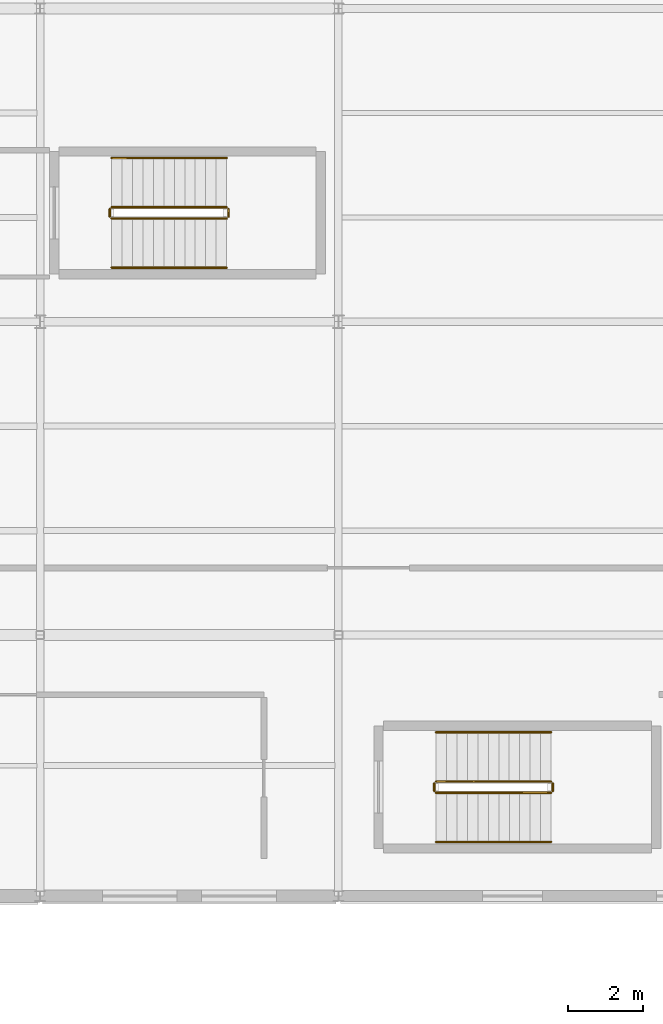
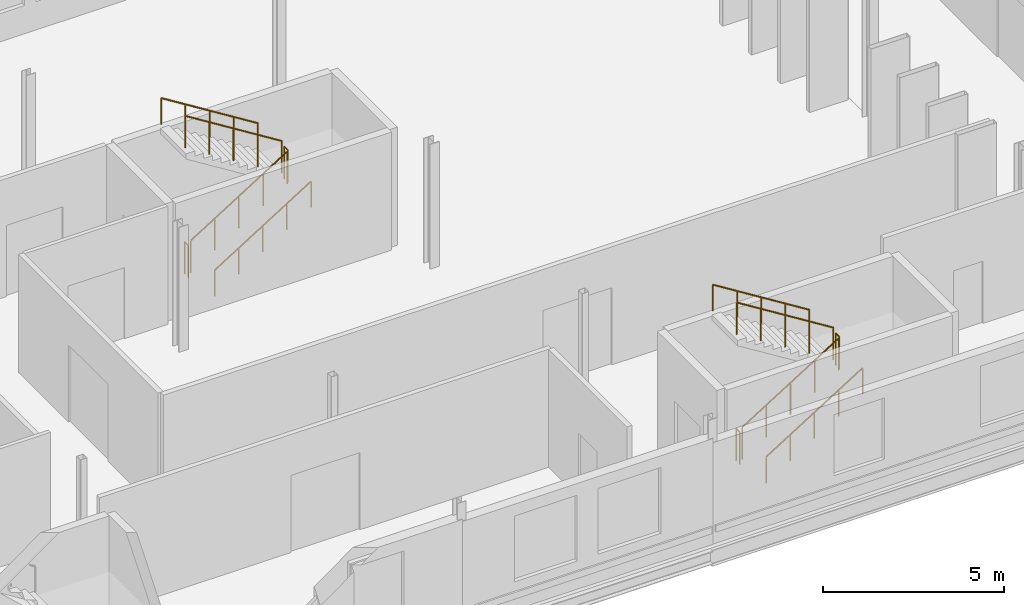
# One storey, part 93 of 101: 12 railings.
"""IFC4 building model written with IfcOpenShell, lengths in metres."""

from ifc_helpers import new_model, si_unit, direction, frame, origin, origin_2d, place, context, subcontext, project, spatial, circle, extrude, material, type_object, element, save


model = new_model("IFC4")

# Units and contexts
model_context = context("Model", 3, precision=1e-05, world=origin(), true_north=direction((0.0, 1.0)))
body_context = subcontext(model_context, "Body", "Model", "MODEL_VIEW")
ifc_project = project(units=[si_unit("LENGTHUNIT", "METRE"), si_unit("AREAUNIT", "SQUARE_METRE"), si_unit("VOLUMEUNIT", "CUBIC_METRE"), si_unit("PLANEANGLEUNIT", "RADIAN"), si_unit("MASSUNIT", "GRAM", prefix="KILO")], contexts=[model_context])

# Site, building, storey
site_placement = place(None, origin())
site = spatial("IfcSite", under=ifc_project, at=site_placement, CompositionType="ELEMENT")
building_placement = place(site_placement, origin())
building = spatial("IfcBuilding", under=site, at=building_placement, Name="Vekula Escarpment Museum", CompositionType="ELEMENT")
storey_placement = place(building_placement, frame((0.0, 0.0, 18.0)))
storey = spatial("IfcBuildingStorey", under=building, at=storey_placement, Name="L04", CompositionType="ELEMENT", Elevation=18.0)

# Railings
ifc_material_1 = material(Name="Painted Steel S355 stair guard", Category="steel")
railing_type_1 = type_object("IfcRailingType", Name="RL-STAIR-GUARD", PredefinedType="GUARDRAIL", material=ifc_material_1)
railing_1_placement = place(storey_placement, frame((58.6201171875, 55.3701171875, 0.175048828125)))
element("IfcRailing", 1, at=railing_1_placement, inside=storey, type_object=railing_type_1, Name="L04 ST-01 stair guard 1", PredefinedType="GUARDRAIL", context=body_context, shape_type="SweptSolid", body=[
    extrude(circle(Radius=0.02392578125, at=origin_2d()), frame((0.0, 0.0, 1.076171875), z_axis=(0.847979421464, 0.0, 0.530029150871), x_axis=(0.0, 1.0, 0.0)), (0.0, 0.0, 1.0), 3.632080078125),
    extrude(circle(Radius=0.02099609375, at=origin_2d()), origin(), (0.0, 0.0, 1.0), 1.052001953125),
    extrude(circle(Radius=0.02099609375, at=origin_2d()), frame((0.77001953125, 0.0, 0.481201171875)), (0.0, 0.0, 1.0), 1.052001953125),
    extrude(circle(Radius=0.02099609375, at=origin_2d()), frame((1.5400390625, 0.0, 0.96240234375)), (0.0, 0.0, 1.0), 1.052001953125),
    extrude(circle(Radius=0.02099609375, at=origin_2d()), frame((2.309814453125, 0.0, 1.44384765625)), (0.0, 0.0, 1.0), 1.052001953125),
    extrude(circle(Radius=0.02099609375, at=origin_2d()), frame((3.079833984375, 0.0, 1.925048828125)), (0.0, 0.0, 1.0), 1.052001953125),
])
railing_2_placement = place(storey_placement, frame((61.75, 55.419921875, 2.10009765625)))
element("IfcRailing", 2, at=railing_2_placement, inside=storey, type_object=railing_type_1, Name="L04 ST-01 stair guard 2", PredefinedType="GUARDRAIL", context=body_context, shape_type="SweptSolid", body=[
    extrude(circle(Radius=0.02392578125, at=origin_2d()), frame((0.0, 0.0, 1.076171875), z_axis=(0.0, 1.0, 0.0), x_axis=(-1.0, 0.0, 0.0)), (0.0, 0.0, 1.0), 0.2001953125),
    extrude(circle(Radius=0.02099609375, at=origin_2d()), origin(), (0.0, 0.0, 1.0), 1.052001953125),
    extrude(circle(Radius=0.02099609375, at=origin_2d()), frame((0.0, 0.2001953125, 0.0)), (0.0, 0.0, 1.0), 1.052001953125),
])
railing_3_placement = place(storey_placement, frame((61.699951171875, 55.669921875, 2.27490234375)))
element("IfcRailing", 3, at=railing_3_placement, inside=storey, type_object=railing_type_1, Name="L04 ST-01 stair guard 3", PredefinedType="GUARDRAIL", context=body_context, shape_type="SweptSolid", body=[
    extrude(circle(Radius=0.02392578125, at=origin_2d()), frame((0.0, 0.0, 1.076171875), z_axis=(-0.847979421464, 0.0, 0.530029150871), x_axis=(0.0, -1.0, 0.0)), (0.0, 0.0, 1.0), 3.632080078125),
    extrude(circle(Radius=0.02099609375, at=origin_2d()), origin(), (0.0, 0.0, 1.0), 1.052001953125),
    extrude(circle(Radius=0.02099609375, at=origin_2d()), frame((-0.77001953125, 0.0, 0.481201171875)), (0.0, 0.0, 1.0), 1.052001953125),
    extrude(circle(Radius=0.02099609375, at=origin_2d()), frame((-1.5400390625, 0.0, 0.96240234375)), (0.0, 0.0, 1.0), 1.052001953125),
    extrude(circle(Radius=0.02099609375, at=origin_2d()), frame((-2.309814453125, 0.0, 1.44384765625)), (0.0, 0.0, 1.0), 1.052001953125),
    extrude(circle(Radius=0.02099609375, at=origin_2d()), frame((-3.079833984375, 0.0, 1.925048828125)), (0.0, 0.0, 1.0), 1.052001953125),
])
railing_4_placement = place(storey_placement, frame((58.570068359375, 55.419921875, 0.0)))
element("IfcRailing", 4, at=railing_4_placement, inside=storey, type_object=railing_type_1, Name="L04 ST-01 stair guard 4", PredefinedType="GUARDRAIL", context=body_context, shape_type="SweptSolid", body=[
    extrude(circle(Radius=0.02392578125, at=origin_2d()), frame((0.0, 0.0, 1.076171875), z_axis=(0.0, 1.0, 0.0), x_axis=(-1.0, 0.0, 0.0)), (0.0, 0.0, 1.0), 0.2001953125),
    extrude(circle(Radius=0.02099609375, at=origin_2d()), origin(), (0.0, 0.0, 1.0), 1.052001953125),
    extrude(circle(Radius=0.02099609375, at=origin_2d()), frame((0.0, 0.2001953125, 0.0)), (0.0, 0.0, 1.0), 1.052001953125),
])
railing_5_placement = place(storey_placement, frame((49.919921875, 70.77001953125, 0.175048828125)))
element("IfcRailing", 5, at=railing_5_placement, inside=storey, type_object=railing_type_1, Name="L04 ST-10 stair guard 1", PredefinedType="GUARDRAIL", context=body_context, shape_type="SweptSolid", body=[
    extrude(circle(Radius=0.02392578125, at=origin_2d()), frame((0.0, 0.0, 1.076171875), z_axis=(0.847998304005, 0.0, 0.529998940003), x_axis=(0.0, 1.0, 0.0)), (0.0, 0.0, 1.0), 3.632080078125),
    extrude(circle(Radius=0.02099609375, at=origin_2d()), origin(), (0.0, 0.0, 1.0), 1.052001953125),
    extrude(circle(Radius=0.02099609375, at=origin_2d()), frame((0.77001953125, 0.0, 0.481201171875)), (0.0, 0.0, 1.0), 1.052001953125),
    extrude(circle(Radius=0.02099609375, at=origin_2d()), frame((1.5400390625, 0.0, 0.96240234375)), (0.0, 0.0, 1.0), 1.052001953125),
    extrude(circle(Radius=0.02099609375, at=origin_2d()), frame((2.31005859375, 0.0, 1.44384765625)), (0.0, 0.0, 1.0), 1.052001953125),
    extrude(circle(Radius=0.02099609375, at=origin_2d()), frame((3.080078125, 0.0, 1.925048828125)), (0.0, 0.0, 1.0), 1.052001953125),
])
railing_6_placement = place(storey_placement, frame((53.050048828125, 70.820068359375, 2.10009765625)))
element("IfcRailing", 6, at=railing_6_placement, inside=storey, type_object=railing_type_1, Name="L04 ST-10 stair guard 2", PredefinedType="GUARDRAIL", context=body_context, shape_type="SweptSolid", body=[
    extrude(circle(Radius=0.02392578125, at=origin_2d()), frame((0.0, 0.0, 1.076171875), z_axis=(0.0, 1.0, 0.0), x_axis=(-1.0, 0.0, 0.0)), (0.0, 0.0, 1.0), 0.199951171875),
    extrude(circle(Radius=0.02099609375, at=origin_2d()), origin(), (0.0, 0.0, 1.0), 1.052001953125),
    extrude(circle(Radius=0.02099609375, at=origin_2d()), frame((0.0, 0.199951171875, 0.0)), (0.0, 0.0, 1.0), 1.052001953125),
])
railing_7_placement = place(storey_placement, frame((53.0, 71.070068359375, 2.27490234375)))
element("IfcRailing", 7, at=railing_7_placement, inside=storey, type_object=railing_type_1, Name="L04 ST-10 stair guard 3", PredefinedType="GUARDRAIL", context=body_context, shape_type="SweptSolid", body=[
    extrude(circle(Radius=0.02392578125, at=origin_2d()), frame((0.0, 0.0, 1.076171875), z_axis=(-0.847998304005, 0.0, 0.529998940003), x_axis=(0.0, -1.0, 0.0)), (0.0, 0.0, 1.0), 3.632080078125),
    extrude(circle(Radius=0.02099609375, at=origin_2d()), origin(), (0.0, 0.0, 1.0), 1.052001953125),
    extrude(circle(Radius=0.02099609375, at=origin_2d()), frame((-0.77001953125, 0.0, 0.481201171875)), (0.0, 0.0, 1.0), 1.052001953125),
    extrude(circle(Radius=0.02099609375, at=origin_2d()), frame((-1.5400390625, 0.0, 0.96240234375)), (0.0, 0.0, 1.0), 1.052001953125),
    extrude(circle(Radius=0.02099609375, at=origin_2d()), frame((-2.31005859375, 0.0, 1.44384765625)), (0.0, 0.0, 1.0), 1.052001953125),
    extrude(circle(Radius=0.02099609375, at=origin_2d()), frame((-3.080078125, 0.0, 1.925048828125)), (0.0, 0.0, 1.0), 1.052001953125),
])
railing_8_placement = place(storey_placement, frame((49.8701171875, 70.820068359375, 0.0)))
element("IfcRailing", 8, at=railing_8_placement, inside=storey, type_object=railing_type_1, Name="L04 ST-10 stair guard 4", PredefinedType="GUARDRAIL", context=body_context, shape_type="SweptSolid", body=[
    extrude(circle(Radius=0.02392578125, at=origin_2d()), frame((0.0, 0.0, 1.076171875), z_axis=(0.0, 1.0, 0.0), x_axis=(-1.0, 0.0, 0.0)), (0.0, 0.0, 1.0), 0.199951171875),
    extrude(circle(Radius=0.02099609375, at=origin_2d()), origin(), (0.0, 0.0, 1.0), 1.052001953125),
    extrude(circle(Radius=0.02099609375, at=origin_2d()), frame((0.0, 0.199951171875, 0.0)), (0.0, 0.0, 1.0), 1.052001953125),
])
ifc_material_2 = material(Name="Brushed stainless steel handrail", Category="steel")
railing_type_2 = type_object("IfcRailingType", Name="RL-STAIR-HAND", PredefinedType="HANDRAIL", material=ifc_material_2)
railing_9_placement = place(storey_placement, frame((58.6201171875, 54.050048828125, 0.175048828125)))
element("IfcRailing", 9, at=railing_9_placement, inside=storey, type_object=railing_type_2, Name="L04 ST-01 stair handrail 1", PredefinedType="HANDRAIL", context=body_context, shape_type="SweptSolid", body=[
    extrude(circle(Radius=0.02392578125, at=origin_2d()), frame((0.0, 0.0, 0.8759765625), z_axis=(0.847979421464, 0.0, 0.530029150871), x_axis=(0.0, 1.0, 0.0)), (0.0, 0.0, 1.0), 3.632080078125),
    extrude(circle(Radius=0.02099609375, at=origin_2d()), origin(), (0.0, 0.0, 1.0), 0.851806640625),
    extrude(circle(Radius=0.02099609375, at=origin_2d()), frame((0.77001953125, 0.0, 0.481201171875)), (0.0, 0.0, 1.0), 0.851806640625),
    extrude(circle(Radius=0.02099609375, at=origin_2d()), frame((1.5400390625, 0.0, 0.96240234375)), (0.0, 0.0, 1.0), 0.851806640625),
    extrude(circle(Radius=0.02099609375, at=origin_2d()), frame((2.309814453125, 0.0, 1.44384765625)), (0.0, 0.0, 1.0), 0.851806640625),
    extrude(circle(Radius=0.02099609375, at=origin_2d()), frame((3.079833984375, 0.0, 1.925048828125)), (0.0, 0.0, 1.0), 0.851806640625),
])
railing_10_placement = place(storey_placement, frame((61.699951171875, 56.989990234375, 2.27490234375)))
element("IfcRailing", 10, at=railing_10_placement, inside=storey, type_object=railing_type_2, Name="L04 ST-01 stair handrail 2", PredefinedType="HANDRAIL", context=body_context, shape_type="SweptSolid", body=[
    extrude(circle(Radius=0.02392578125, at=origin_2d()), frame((0.0, 0.0, 0.8759765625), z_axis=(-0.847979421464, 0.0, 0.530029150871), x_axis=(0.0, -1.0, 0.0)), (0.0, 0.0, 1.0), 3.632080078125),
    extrude(circle(Radius=0.02099609375, at=origin_2d()), origin(), (0.0, 0.0, 1.0), 0.851806640625),
    extrude(circle(Radius=0.02099609375, at=origin_2d()), frame((-0.77001953125, 0.0, 0.481201171875)), (0.0, 0.0, 1.0), 0.851806640625),
    extrude(circle(Radius=0.02099609375, at=origin_2d()), frame((-1.5400390625, 0.0, 0.96240234375)), (0.0, 0.0, 1.0), 0.851806640625),
    extrude(circle(Radius=0.02099609375, at=origin_2d()), frame((-2.309814453125, 0.0, 1.44384765625)), (0.0, 0.0, 1.0), 0.851806640625),
    extrude(circle(Radius=0.02099609375, at=origin_2d()), frame((-3.079833984375, 0.0, 1.925048828125)), (0.0, 0.0, 1.0), 0.851806640625),
])
railing_11_placement = place(storey_placement, frame((49.919921875, 69.449951171875, 0.175048828125)))
element("IfcRailing", 11, at=railing_11_placement, inside=storey, type_object=railing_type_2, Name="L04 ST-10 stair handrail 1", PredefinedType="HANDRAIL", context=body_context, shape_type="SweptSolid", body=[
    extrude(circle(Radius=0.02392578125, at=origin_2d()), frame((0.0, 0.0, 0.8759765625), z_axis=(0.847998304005, 0.0, 0.529998940003), x_axis=(0.0, 1.0, 0.0)), (0.0, 0.0, 1.0), 3.632080078125),
    extrude(circle(Radius=0.02099609375, at=origin_2d()), origin(), (0.0, 0.0, 1.0), 0.851806640625),
    extrude(circle(Radius=0.02099609375, at=origin_2d()), frame((0.77001953125, 0.0, 0.481201171875)), (0.0, 0.0, 1.0), 0.851806640625),
    extrude(circle(Radius=0.02099609375, at=origin_2d()), frame((1.5400390625, 0.0, 0.96240234375)), (0.0, 0.0, 1.0), 0.851806640625),
    extrude(circle(Radius=0.02099609375, at=origin_2d()), frame((2.31005859375, 0.0, 1.44384765625)), (0.0, 0.0, 1.0), 0.851806640625),
    extrude(circle(Radius=0.02099609375, at=origin_2d()), frame((3.080078125, 0.0, 1.925048828125)), (0.0, 0.0, 1.0), 0.851806640625),
])
railing_12_placement = place(storey_placement, frame((53.0, 72.389892578125, 2.27490234375)))
element("IfcRailing", 12, at=railing_12_placement, inside=storey, type_object=railing_type_2, Name="L04 ST-10 stair handrail 2", PredefinedType="HANDRAIL", context=body_context, shape_type="SweptSolid", body=[
    extrude(circle(Radius=0.02392578125, at=origin_2d()), frame((0.0, 0.0, 0.8759765625), z_axis=(-0.847998304005, 0.0, 0.529998940003), x_axis=(0.0, -1.0, 0.0)), (0.0, 0.0, 1.0), 3.632080078125),
    extrude(circle(Radius=0.02099609375, at=origin_2d()), origin(), (0.0, 0.0, 1.0), 0.851806640625),
    extrude(circle(Radius=0.02099609375, at=origin_2d()), frame((-0.77001953125, 0.0, 0.481201171875)), (0.0, 0.0, 1.0), 0.851806640625),
    extrude(circle(Radius=0.02099609375, at=origin_2d()), frame((-1.5400390625, 0.0, 0.96240234375)), (0.0, 0.0, 1.0), 0.851806640625),
    extrude(circle(Radius=0.02099609375, at=origin_2d()), frame((-2.31005859375, 0.0, 1.44384765625)), (0.0, 0.0, 1.0), 0.851806640625),
    extrude(circle(Radius=0.02099609375, at=origin_2d()), frame((-3.080078125, 0.0, 1.925048828125)), (0.0, 0.0, 1.0), 0.851806640625),
])

save(model, "model.ifc")
